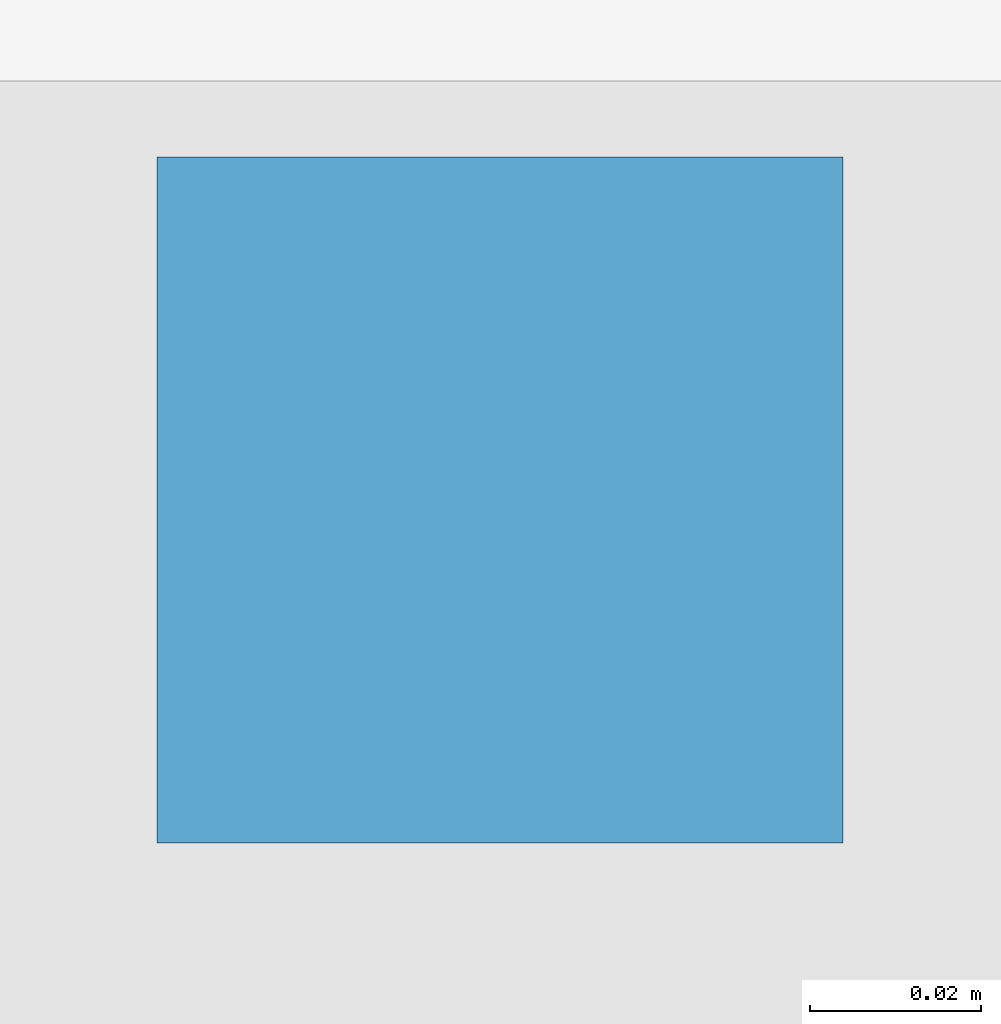
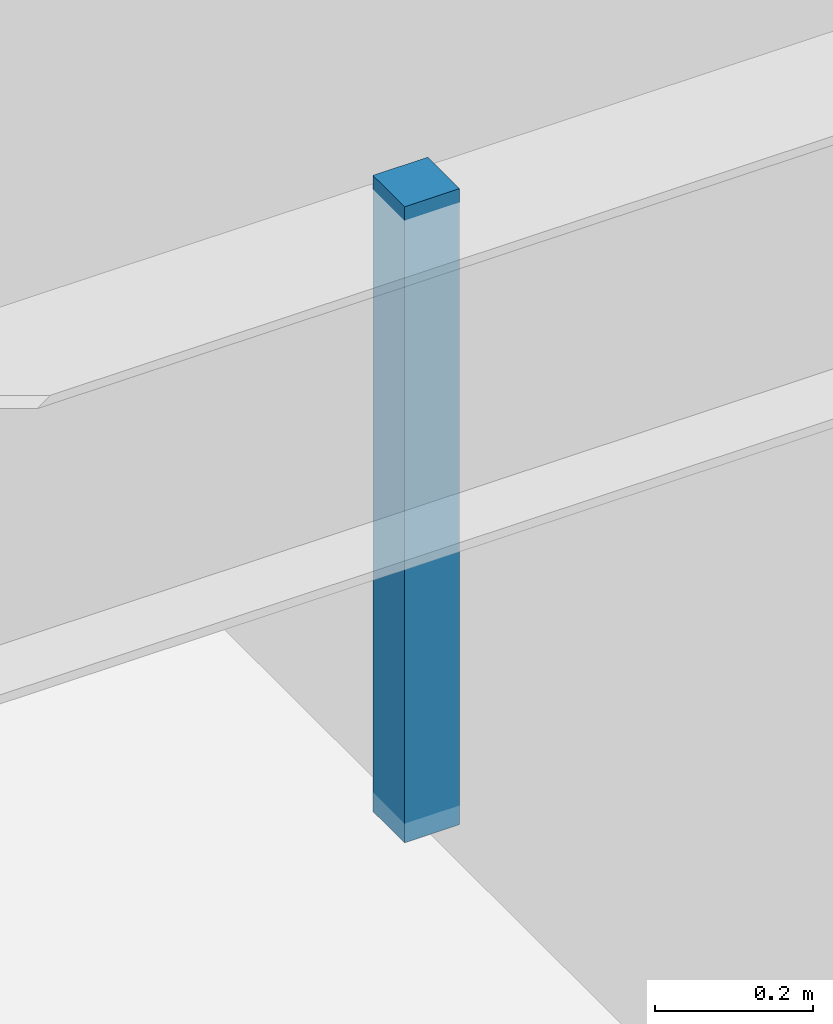
# One storey, part 13 of 18: 1 discrete accessory.
"""IFC4 building model written with IfcOpenShell, lengths in metres."""

from ifc_helpers import new_model, si_unit, direction, frame, origin, origin_2d, place, context, subcontext, project, spatial, rectangle, extrude, source, transform, mapped, material, type_object, element, save


model = new_model("IFC4")

# Units and contexts
model_context = context("Model", 3, precision=1e-05, world=origin(), true_north=direction((0.0, 1.0)))
body_context = subcontext(model_context, "Body", "Model", "MODEL_VIEW")
ifc_project = project(units=[si_unit("LENGTHUNIT", "METRE"), si_unit("AREAUNIT", "SQUARE_METRE"), si_unit("VOLUMEUNIT", "CUBIC_METRE"), si_unit("PLANEANGLEUNIT", "RADIAN"), si_unit("MASSUNIT", "GRAM", prefix="KILO")], contexts=[model_context])

# Site, building, storey
site_placement = place(None, origin())
site = spatial("IfcSite", under=ifc_project, at=site_placement, CompositionType="ELEMENT")
building_placement = place(site_placement, origin())
building = spatial("IfcBuilding", under=site, at=building_placement, Name="Giltprow Tower", CompositionType="ELEMENT")
storey_placement = place(building_placement, frame((0.0, 0.0, 65.0)))
storey = spatial("IfcBuildingStorey", under=building, at=storey_placement, Name="L16", CompositionType="ELEMENT", Elevation=65.0)

# Discrete accessory
ifc_material = material(Name="Structural steel Q355B", Category="steel")
discrete_accessory_type = type_object("IfcDiscreteAccessoryType", Name="ACC-CLG-HANGER", PredefinedType="BRACKET", material=ifc_material)
shared_shape = source(origin(), body_context, "Body", "SweptSolid", [
    extrude(rectangle(XDim=0.080078125, YDim=0.080078125, at=origin_2d()), origin(), (0.0, 0.0, 1.0), 0.97998046875),
])
discrete_accessory_placement = place(storey_placement, frame((25.39990234375, 18.89111328125, 2.719970703125), z_axis=(0.0, 0.0, 1.0), x_axis=(1.0, 0.0, 0.0)))
element("IfcDiscreteAccessory", 1, at=discrete_accessory_placement, inside=storey, type_object=discrete_accessory_type, Name="L16 Office Acoustic Ceiling Suspension Hanger", PredefinedType="BRACKET", context=body_context, shape_type="MappedRepresentation", body=[
    mapped(shared_shape, transform((0.0, 0.0, 0.0), x_axis=(1.0, 0.0, 0.0), y_axis=(0.0, 1.0, 0.0), z_axis=(0.0, 0.0, 1.0), scale=1.0)),
])

save(model, "model.ifc")
